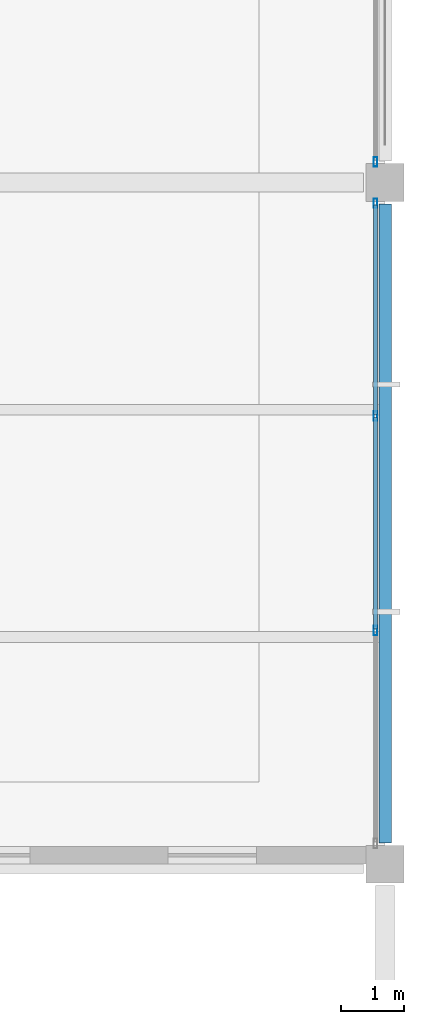
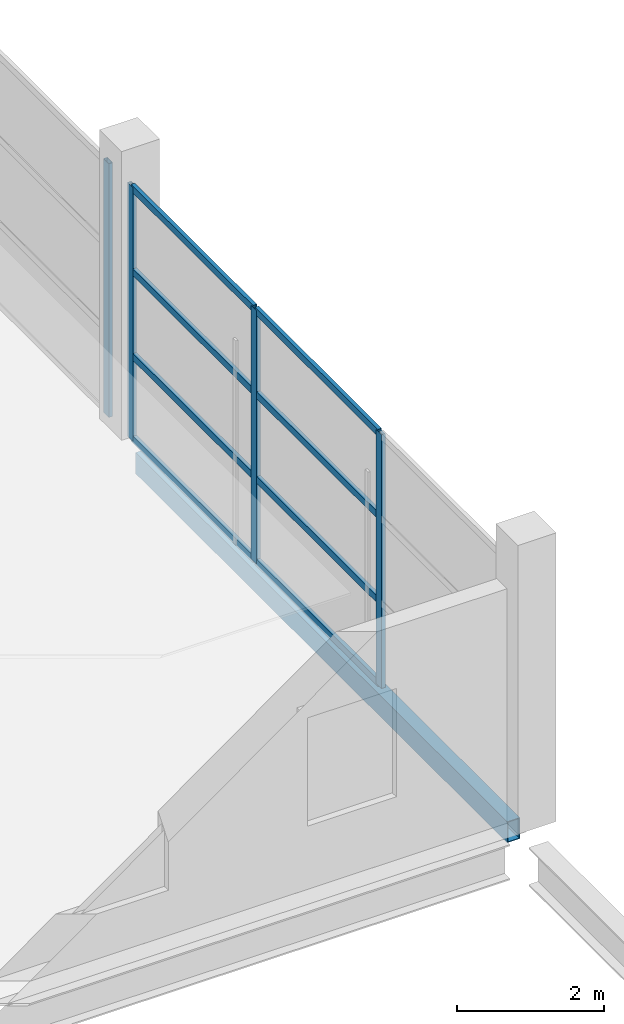
# One storey, part 98 of 134: 12 members, 1 beam, 2 elements without a shape of their own.
"""IFC4 building model written with IfcOpenShell, lengths in metres."""

import ifcopenshell
import ifcopenshell.guid

model = None  # the IFC model being written
_history = None  # IfcOwnerHistory: only IFC2X3 demands one
_inside = {}  # id of a spatial element -> (the spatial element, [elements in it])
_under = {}  # id of a project, library or spatial element -> (it, [spatial elements below it])
_declared = {}  # id of a project -> (the project, [libraries it declares])
_typed = {}  # id of a type object -> (the type object, [elements of that type])
_made_of = {}  # id of a material, layer set ... -> (it, [elements and type objects made of it])


def new_model(schema):
    """Start an empty IFC model of exactly this schema.

    Asked for "IFC4X3", IfcOpenShell would pick the latest addendum, in which some entities
    have other attributes; the version numbers below select the first issue.
    IFC2X3 requires an IfcOwnerHistory on every rooted entity: one is made here for all.
    """
    global model, _history
    if schema == "IFC4X3":
        model = ifcopenshell.file(schema_version=(4, 3, 0, 0))
    else:
        model = ifcopenshell.file(schema=schema)
    _inside.clear()
    _under.clear()
    _declared.clear()
    _typed.clear()
    _made_of.clear()
    _history = None
    if model.schema == "IFC2X3":
        org = make("IfcOrganization", Name="unknown")
        user = make(
            "IfcPersonAndOrganization",
            ThePerson=make("IfcPerson", FamilyName="unknown"),
            TheOrganization=org,
        )
        app = make(
            "IfcApplication",
            ApplicationDeveloper=org,
            Version="unknown",
            ApplicationFullName="unknown",
            ApplicationIdentifier="unknown",
        )
        _history = make(
            "IfcOwnerHistory",
            OwningUser=user,
            OwningApplication=app,
            ChangeAction="ADDED",
            CreationDate=0,
        )
    return model


def make(cls, **values):
    """One entity of the class cls with the attributes given. An attribute that is None is left unset."""
    return model.create_entity(
        cls, **{name: value for name, value in values.items() if value is not None}
    )


def rooted(cls, **values):
    """An entity with a GlobalId (a new one), such as an element, a storey or a relation."""
    return make(cls, GlobalId=ifcopenshell.guid.new(), OwnerHistory=_history, **values)


def si_unit(unit_type, name, prefix=None):
    """IfcSIUnit, for example si_unit("LENGTHUNIT", "METRE", prefix="MILLI")."""
    return make("IfcSIUnit", UnitType=unit_type, Prefix=prefix, Name=name)


def assignment(units):
    """IfcUnitAssignment: the units of a project."""
    return None if units is None else make("IfcUnitAssignment", Units=units)


def point(xyz):
    """IfcCartesianPoint."""
    return None if xyz is None else make("IfcCartesianPoint", Coordinates=xyz)


def direction(xyz):
    """IfcDirection."""
    return None if xyz is None else make("IfcDirection", DirectionRatios=xyz)


def frame(location, z_axis=None, x_axis=None):
    """IfcAxis2Placement3D, a coordinate frame: its origin and axes. An axis left out is left unset."""
    return make(
        "IfcAxis2Placement3D",
        Location=point(location),
        Axis=direction(z_axis),
        RefDirection=direction(x_axis),
    )


def frame_2d(location, x_axis=None):
    """IfcAxis2Placement2D, a coordinate frame in the plane: its origin and x axis."""
    return make(
        "IfcAxis2Placement2D", Location=point(location), RefDirection=direction(x_axis)
    )


def origin():
    """The frame at (0, 0, 0) with its axes left unset."""
    return frame((0.0, 0.0, 0.0))


def origin_2d():
    """The frame at (0, 0) in the plane with its x axis left unset."""
    return frame_2d((0.0, 0.0))


def place(relative_to, where):
    """IfcLocalPlacement: puts the frame where relative to a parent placement (None: the world)."""
    return make(
        "IfcLocalPlacement", PlacementRelTo=relative_to, RelativePlacement=where
    )


def context(
    kind, dimensions, precision=None, world=None, true_north=None, identifier=None
):
    """IfcGeometricRepresentationContext, for example the 3D "Model" context."""
    return make(
        "IfcGeometricRepresentationContext",
        ContextIdentifier=identifier,
        ContextType=kind,
        CoordinateSpaceDimension=dimensions,
        Precision=precision,
        WorldCoordinateSystem=world,
        TrueNorth=true_north,
    )


def subcontext(parent, identifier, kind, view, scale=None):
    """IfcGeometricRepresentationSubContext, for example "Body" below "Model"."""
    return make(
        "IfcGeometricRepresentationSubContext",
        ContextIdentifier=identifier,
        ContextType=kind,
        ParentContext=parent,
        TargetScale=scale,
        TargetView=view,
    )


def project(units=None, contexts=None):
    """IfcProject with its units and contexts."""
    return rooted(
        "IfcProject",
        Name="project",
        RepresentationContexts=contexts,
        UnitsInContext=assignment(units),
    )


def spatial(cls, under=None, at=None, **own):
    """A site, building, storey or space (cls), placed at a placement, below another one or the project."""
    s = rooted(cls, ObjectPlacement=at, **own)
    if under is not None:
        _under.setdefault(under.id(), (under, []))[1].append(s)
    return s


def profile(cls, at=None, kind="AREA", **sizes):
    """A parametric profile (cls). Its sizes go by their IFC names, for example OverallWidth=200.0."""
    return make(cls, ProfileType=kind, Position=at, **sizes)


def hollow_rectangle(**sizes):
    """IfcRectangleHollowProfileDef."""
    return profile("IfcRectangleHollowProfileDef", **sizes)


def extrude(swept, where, along, depth):
    """IfcExtrudedAreaSolid: the profile swept, set in the frame where, extruded along a direction by depth."""
    return make(
        "IfcExtrudedAreaSolid",
        SweptArea=swept,
        Position=where,
        ExtrudedDirection=direction(along),
        Depth=depth,
    )


def shape(context_of_items, identifier, shape_type, items):
    """IfcShapeRepresentation: the items that make up one representation, for example the "Body"."""
    return make(
        "IfcShapeRepresentation",
        ContextOfItems=context_of_items,
        RepresentationIdentifier=identifier,
        RepresentationType=shape_type,
        Items=items,
    )


def material(Name=None, Category=None):
    """IfcMaterial."""
    return make("IfcMaterial", Name=Name, Category=Category)


def layer(
    of_material, thickness, ventilated=None, Name=None, Category=None, Priority=None
):
    """IfcMaterialLayer: one layer of a wall or slab, of a material (None: an air gap)."""
    return make(
        "IfcMaterialLayer",
        Material=of_material,
        LayerThickness=thickness,
        IsVentilated=ventilated,
        Name=Name,
        Category=Category,
        Priority=Priority,
    )


def layer_set(layers, Name=None):
    """IfcMaterialLayerSet."""
    return make("IfcMaterialLayerSet", MaterialLayers=layers, LayerSetName=Name)


def material_profile(
    of_material, cross_section, Name=None, Category=None, Priority=None
):
    """IfcMaterialProfile: a cross section and its material."""
    return make(
        "IfcMaterialProfile",
        Name=Name,
        Material=of_material,
        Profile=cross_section,
        Priority=Priority,
        Category=Category,
    )


def profile_set(profiles, Name=None, composite=None):
    """IfcMaterialProfileSet."""
    return make(
        "IfcMaterialProfileSet",
        Name=Name,
        MaterialProfiles=profiles,
        CompositeProfile=composite,
    )


def made_of(thing, what):
    """Note that an element or type object is made of a material, layer set ...; save() writes the relation."""
    if what is not None:
        _made_of.setdefault(what.id(), (what, []))[1].append(thing)
    return thing


def type_object(cls, material=None, **own):
    """A type object (cls), such as IfcWallType, which elements share."""
    return made_of(rooted(cls, **own), material)


def element(
    cls,
    number,
    at=None,
    inside=None,
    cuts=None,
    type_object=None,
    material=None,
    context=None,
    identifier="Body",
    shape_type=None,
    held_by="IfcProductDefinitionShape",
    body=None,
    shapes=None,
    **own,
):
    """One element of the class cls, such as IfcWall. Its Tag is "e" and its number.

    at: its placement. inside: the storey or other place that contains it. cuts: it is an
    opening in that element (IfcRelVoidsElement). A single representation is given by context,
    identifier, shape_type and body (its items); several are given by shapes. held_by: the class
    of the entity that holds the representations. save() writes the other relations.
    """
    e = rooted(cls, Tag="e%d" % number, ObjectPlacement=at, **own)
    if body is not None:
        shapes = [shape(context, identifier, shape_type, body)]
    if shapes is not None:
        e.Representation = make(held_by, Representations=shapes)
    if inside is not None:
        _inside.setdefault(inside.id(), (inside, []))[1].append(e)
    if cuts is not None:
        rooted(
            "IfcRelVoidsElement", RelatingBuildingElement=cuts, RelatedOpeningElement=e
        )
    if type_object is not None:
        _typed.setdefault(type_object.id(), (type_object, []))[1].append(e)
    return made_of(e, material)


def aggregate(whole, parts):
    """IfcRelAggregates: a whole, such as a stair, and the parts it consists of."""
    return rooted("IfcRelAggregates", RelatingObject=whole, RelatedObjects=parts)


def save(model, path):
    """Write the relations noted so far, then the file.

    IfcRelAggregates (storeys below a building ...), IfcRelContainedInSpatialStructure (elements
    in a storey), IfcRelDefinesByType, IfcRelAssociatesMaterial and IfcRelDeclares: one each for
    every whole, place, type object, material and project.
    """
    for whole, parts in _under.values():
        aggregate(whole, parts)
    for where, things in _inside.values():
        rooted(
            "IfcRelContainedInSpatialStructure",
            RelatedElements=things,
            RelatingStructure=where,
        )
    for kind, things in _typed.values():
        rooted("IfcRelDefinesByType", RelatedObjects=things, RelatingType=kind)
    for what, things in _made_of.values():
        rooted("IfcRelAssociatesMaterial", RelatedObjects=things, RelatingMaterial=what)
    for by, libraries in _declared.values():
        rooted("IfcRelDeclares", RelatingContext=by, RelatedDefinitions=libraries)
    model.write(path)


model = new_model("IFC4")

# Units and contexts
model_context = context("Model", 3, precision=1e-05, world=origin(), true_north=direction((0.0, 1.0)))
body_context = subcontext(model_context, "Body", "Model", "MODEL_VIEW")
ifc_project = project(units=[si_unit("LENGTHUNIT", "METRE"), si_unit("AREAUNIT", "SQUARE_METRE"), si_unit("VOLUMEUNIT", "CUBIC_METRE"), si_unit("PLANEANGLEUNIT", "RADIAN"), si_unit("MASSUNIT", "GRAM", prefix="KILO")], contexts=[model_context])

# Site, building, storey
site_placement = place(None, origin())
site = spatial("IfcSite", under=ifc_project, at=site_placement, CompositionType="ELEMENT")
building_placement = place(site_placement, origin())
building = spatial("IfcBuilding", under=site, at=building_placement, Name="Tamarisk Ironworks Central Station", CompositionType="ELEMENT")
storey_placement = place(building_placement, frame((0.0, 0.0, 12.60009765625)))
storey = spatial("IfcBuildingStorey", under=building, at=storey_placement, Name="L02", CompositionType="ELEMENT", Elevation=12.60009765625)

# Beam
ifc_material_1 = material(Name="Structural steel S355J2", Category="steel")
ifc_material_profile_1 = material_profile(ifc_material_1, hollow_rectangle(XDim=0.199951171875, YDim=0.35009765625, WallThickness=0.012451171875, at=origin_2d()), Name="RHS 350x200x12.5")
ifc_profile_set_1 = profile_set([ifc_material_profile_1], Name="Structural steel S355J2")
beam_type = type_object("IfcBeamType", Name="BM-SP01", PredefinedType="SPANDREL", material=ifc_profile_set_1)
beam_placement = place(storey_placement, frame((180.0, 79.5380859375, -0.425048828125), z_axis=(0.0, 1.0, 0.0), x_axis=(-1.0, 0.0, 0.0)))
element("IfcBeam", 1, at=beam_placement, inside=storey, type_object=beam_type, Name="L02 primary girder Y-0536", PredefinedType="SPANDREL", context=body_context, shape_type="SweptSolid", body=[
    extrude(hollow_rectangle(XDim=0.199951171875, YDim=0.35009765625, WallThickness=0.012451171875, at=origin_2d()), origin(), (0.0, 0.0, 1.0), 10.1240234375),
])

# Curtain wall, members
ifc_material_2 = material(Name="Anodized aluminium alloy 6063-T6", Category="aluminium")
ifc_layer = layer(ifc_material_2, 0.179931640625)
ifc_layer_set = layer_set([ifc_layer], Name="Anodized aluminium alloy 6063-T6")
curtain_wall_type = type_object("IfcCurtainWallType", Name="CW-17", PredefinedType="USERDEFINED", material=ifc_layer_set)
curtain_wall_1_placement = place(storey_placement, origin())
curtain_wall_1 = element("IfcCurtainWall", 2, at=curtain_wall_1_placement, inside=storey, type_object=curtain_wall_type, Name="Operations L02 east facade curtain wall 079", ObjectType="GLAZED CURTAIN WALL", PredefinedType="USERDEFINED")
ifc_material_profile_2 = material_profile(ifc_material_2, hollow_rectangle(XDim=0.06005859375, YDim=0.14990234375, WallThickness=0.00341796875, at=origin_2d()), Name="ALUM 150x60")
ifc_profile_set_2 = profile_set([ifc_material_profile_2], Name="Anodized aluminium alloy 6063-T6")
member_type_1 = type_object("IfcMemberType", Name="CWM-03", PredefinedType="MULLION", material=ifc_profile_set_2)
member_1_placement = place(storey_placement, frame((179.85009765625, 82.8994140625, 0.0), z_axis=(0.0, 0.0, 1.0), x_axis=(-1.0, 0.0, 0.0)))
member_1 = element("IfcMember", 3, at=member_1_placement, type_object=member_type_1, Name="CW17 mullion 2", PredefinedType="MULLION", context=body_context, shape_type="SweptSolid", body=[
    extrude(hollow_rectangle(XDim=0.06005859375, YDim=0.14990234375, WallThickness=0.00341796875, at=origin_2d()), origin(), (0.0, 0.0, 1.0), 4.219970703125),
])
member_2_placement = place(storey_placement, frame((179.85009765625, 86.30078125, 0.0), z_axis=(0.0, 0.0, 1.0), x_axis=(-1.0, 0.0, 0.0)))
member_2 = element("IfcMember", 4, at=member_2_placement, type_object=member_type_1, Name="CW17 mullion 3", PredefinedType="MULLION", context=body_context, shape_type="SweptSolid", body=[
    extrude(hollow_rectangle(XDim=0.06005859375, YDim=0.14990234375, WallThickness=0.00341796875, at=origin_2d()), origin(), (0.0, 0.0, 1.0), 4.219970703125),
])
member_3_placement = place(storey_placement, frame((179.85009765625, 89.672119140625, 0.0), z_axis=(0.0, 0.0, 1.0), x_axis=(-1.0, 0.0, 0.0)))
member_3 = element("IfcMember", 5, at=member_3_placement, type_object=member_type_1, Name="CW17 mullion 4", PredefinedType="MULLION", context=body_context, shape_type="SweptSolid", body=[
    extrude(hollow_rectangle(XDim=0.06005859375, YDim=0.14990234375, WallThickness=0.00341796875, at=origin_2d()), origin(), (0.0, 0.0, 1.0), 4.219970703125),
])

# Curtain wall, member
curtain_wall_2_placement = place(storey_placement, origin())
curtain_wall_2 = element("IfcCurtainWall", 6, at=curtain_wall_2_placement, inside=storey, type_object=curtain_wall_type, Name="Operations L02 east facade curtain wall 090", ObjectType="GLAZED CURTAIN WALL", PredefinedType="USERDEFINED")
member_4_placement = place(storey_placement, frame((179.85009765625, 90.327880859375, 0.0), z_axis=(0.0, 0.0, 1.0), x_axis=(-1.0, 0.0, 0.0)))
member_4 = element("IfcMember", 7, at=member_4_placement, type_object=member_type_1, Name="CW17 mullion 1", PredefinedType="MULLION", context=body_context, shape_type="SweptSolid", body=[
    extrude(hollow_rectangle(XDim=0.06005859375, YDim=0.14990234375, WallThickness=0.00341796875, at=origin_2d()), origin(), (0.0, 0.0, 1.0), 4.219970703125),
])
aggregate(curtain_wall_2, [member_4])

# Member
ifc_material_profile_3 = material_profile(ifc_material_2, hollow_rectangle(XDim=0.06005859375, YDim=0.114990234375, WallThickness=0.00341796875, at=origin_2d()), Name="ALUM 115x60")
ifc_profile_set_3 = profile_set([ifc_material_profile_3], Name="Anodized aluminium alloy 6063-T6")
member_type_2 = type_object("IfcMemberType", Name="CWT-03", PredefinedType="USERDEFINED", material=ifc_profile_set_3)
member_5_placement = place(storey_placement, frame((179.85009765625, 82.92529296875, 0.02978515625), z_axis=(0.0, 1.0, 0.0), x_axis=(-1.0, 0.0, 0.0)))
member_5 = element("IfcMember", 8, at=member_5_placement, type_object=member_type_2, Name="CW17 transom 2.1", ObjectType="TRANSOM", PredefinedType="USERDEFINED", context=body_context, shape_type="SweptSolid", body=[
    extrude(hollow_rectangle(XDim=0.06005859375, YDim=0.114990234375, WallThickness=0.00341796875, at=origin_2d()), origin(), (0.0, 0.0, 1.0), 3.349365234375),
])

member_6_placement = place(storey_placement, frame((179.85009765625, 82.92529296875, 1.406494140625), z_axis=(0.0, 1.0, 0.0), x_axis=(-1.0, 0.0, 0.0)))
member_6 = element("IfcMember", 9, at=member_6_placement, type_object=member_type_2, Name="CW17 transom 2.2", ObjectType="TRANSOM", PredefinedType="USERDEFINED", context=body_context, shape_type="SweptSolid", body=[
    extrude(hollow_rectangle(XDim=0.06005859375, YDim=0.114990234375, WallThickness=0.00341796875, at=origin_2d()), origin(), (0.0, 0.0, 1.0), 3.349365234375),
])

member_7_placement = place(storey_placement, frame((179.85009765625, 82.92529296875, 2.813232421875), z_axis=(0.0, 1.0, 0.0), x_axis=(-1.0, 0.0, 0.0)))
member_7 = element("IfcMember", 10, at=member_7_placement, type_object=member_type_2, Name="CW17 transom 2.3", ObjectType="TRANSOM", PredefinedType="USERDEFINED", context=body_context, shape_type="SweptSolid", body=[
    extrude(hollow_rectangle(XDim=0.06005859375, YDim=0.114990234375, WallThickness=0.00341796875, at=origin_2d()), origin(), (0.0, 0.0, 1.0), 3.349365234375),
])

member_8_placement = place(storey_placement, frame((179.85009765625, 82.92529296875, 4.18994140625), z_axis=(0.0, 1.0, 0.0), x_axis=(-1.0, 0.0, 0.0)))
member_8 = element("IfcMember", 11, at=member_8_placement, type_object=member_type_2, Name="CW17 transom 2.4", ObjectType="TRANSOM", PredefinedType="USERDEFINED", context=body_context, shape_type="SweptSolid", body=[
    extrude(hollow_rectangle(XDim=0.06005859375, YDim=0.114990234375, WallThickness=0.00341796875, at=origin_2d()), origin(), (0.0, 0.0, 1.0), 3.349365234375),
])

member_9_placement = place(storey_placement, frame((179.85009765625, 86.32666015625, 0.02978515625), z_axis=(0.0, 1.0, 0.0), x_axis=(-1.0, 0.0, 0.0)))
member_9 = element("IfcMember", 12, at=member_9_placement, type_object=member_type_2, Name="CW17 transom 3.1", ObjectType="TRANSOM", PredefinedType="USERDEFINED", context=body_context, shape_type="SweptSolid", body=[
    extrude(hollow_rectangle(XDim=0.06005859375, YDim=0.114990234375, WallThickness=0.00341796875, at=origin_2d()), origin(), (0.0, 0.0, 1.0), 3.3193359375),
])

member_10_placement = place(storey_placement, frame((179.85009765625, 86.32666015625, 1.406494140625), z_axis=(0.0, 1.0, 0.0), x_axis=(-1.0, 0.0, 0.0)))
member_10 = element("IfcMember", 13, at=member_10_placement, type_object=member_type_2, Name="CW17 transom 3.2", ObjectType="TRANSOM", PredefinedType="USERDEFINED", context=body_context, shape_type="SweptSolid", body=[
    extrude(hollow_rectangle(XDim=0.06005859375, YDim=0.114990234375, WallThickness=0.00341796875, at=origin_2d()), origin(), (0.0, 0.0, 1.0), 3.3193359375),
])

member_11_placement = place(storey_placement, frame((179.85009765625, 86.32666015625, 2.813232421875), z_axis=(0.0, 1.0, 0.0), x_axis=(-1.0, 0.0, 0.0)))
member_11 = element("IfcMember", 14, at=member_11_placement, type_object=member_type_2, Name="CW17 transom 3.3", ObjectType="TRANSOM", PredefinedType="USERDEFINED", context=body_context, shape_type="SweptSolid", body=[
    extrude(hollow_rectangle(XDim=0.06005859375, YDim=0.114990234375, WallThickness=0.00341796875, at=origin_2d()), origin(), (0.0, 0.0, 1.0), 3.3193359375),
])

member_12_placement = place(storey_placement, frame((179.85009765625, 86.32666015625, 4.18994140625), z_axis=(0.0, 1.0, 0.0), x_axis=(-1.0, 0.0, 0.0)))
member_12 = element("IfcMember", 15, at=member_12_placement, type_object=member_type_2, Name="CW17 transom 3.4", ObjectType="TRANSOM", PredefinedType="USERDEFINED", context=body_context, shape_type="SweptSolid", body=[
    extrude(hollow_rectangle(XDim=0.06005859375, YDim=0.114990234375, WallThickness=0.00341796875, at=origin_2d()), origin(), (0.0, 0.0, 1.0), 3.3193359375),
])

aggregate(curtain_wall_1, [member_1, member_2, member_3, member_5, member_6, member_7, member_8, member_9, member_10, member_11, member_12])

save(model, "model.ifc")
